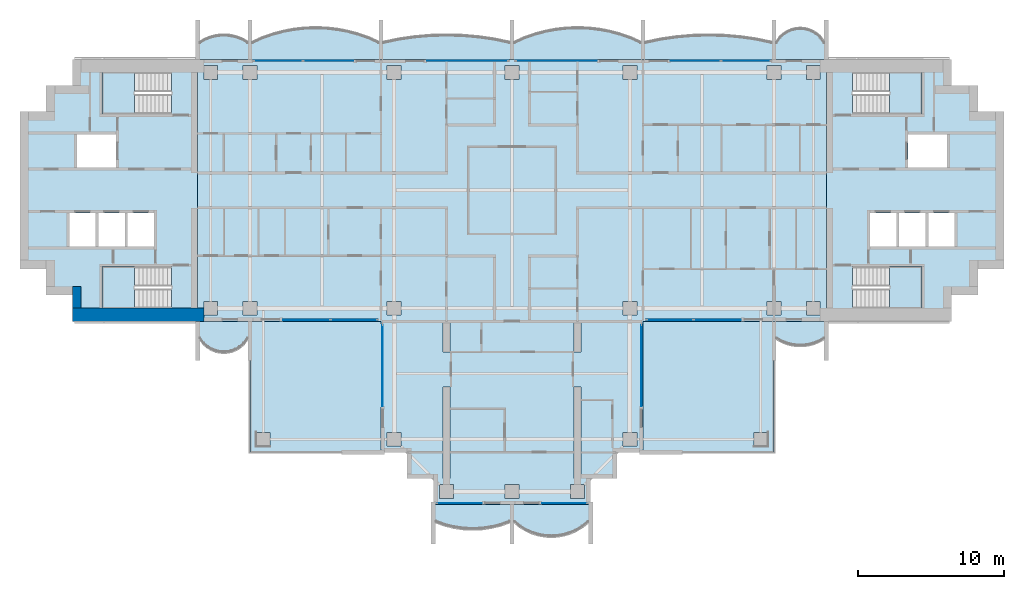
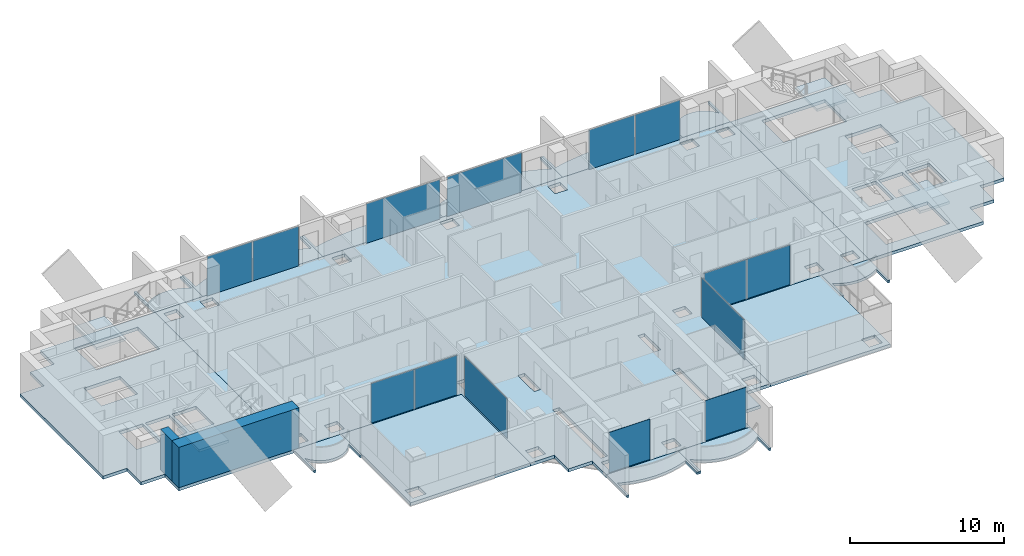
# One storey, part 7 of 18: 19 slabs, 14 plates, 2 walls, 14 elements without a shape of their own.
"""IFC4 building model written with IfcOpenShell, lengths in metres."""

from ifc_helpers import new_model, si_unit, direction, frame, frame_2d, origin, origin_2d, place, context, subcontext, project, spatial, polyline, rectangle, outline, extrude, material, layer, layer_set, type_object, element, aggregate, save


model = new_model("IFC4")

# Units and contexts
model_context = context("Model", 3, precision=1e-05, world=origin(), true_north=direction((0.0, 1.0)))
body_context = subcontext(model_context, "Body", "Model", "MODEL_VIEW")
ifc_project = project(units=[si_unit("LENGTHUNIT", "METRE"), si_unit("AREAUNIT", "SQUARE_METRE"), si_unit("VOLUMEUNIT", "CUBIC_METRE"), si_unit("PLANEANGLEUNIT", "RADIAN"), si_unit("MASSUNIT", "GRAM", prefix="KILO")], contexts=[model_context])

# Site, building, storey
site_placement = place(None, origin())
site = spatial("IfcSite", under=ifc_project, at=site_placement, CompositionType="ELEMENT")
building_placement = place(site_placement, origin())
building = spatial("IfcBuilding", under=site, at=building_placement, Name="Perihelion Cross Residences", CompositionType="ELEMENT")
storey_placement = place(building_placement, frame((0.0, 0.0, 219.10009765625)))
storey = spatial("IfcBuildingStorey", under=building, at=storey_placement, Name="L55", CompositionType="ELEMENT", Elevation=219.10009765625)

# Slabs
ifc_material_1 = material(Name="Concrete C40/50", Category="concrete")
ifc_layer_1 = layer(ifc_material_1, 0.199951171875)
ifc_layer_set_1 = layer_set([ifc_layer_1], Name="Balcony slab 200")
slab_type_1 = type_object("IfcSlabType", Name="Balcony slab 200", PredefinedType="FLOOR", material=ifc_layer_set_1)
slab_1_placement = place(storey_placement, frame((0.0, 0.0, -0.2001953125)))
element("IfcSlab", 1, at=slab_1_placement, inside=storey, type_object=slab_type_1, Name="Slab BK1 L55 east side north bay 1 balcony", PredefinedType="FLOOR", context=body_context, shape_type="SweptSolid", body=[
    extrude(outline(polyline([(21.60009765625, 9.0), (18.0, 9.0), (18.0, 11.699951171875), (18.14990234375, 11.699951171875), (18.14990234375, 10.199951171875), (18.425048828125, 10.568603515625), (18.699951171875, 10.806396484375), (18.97509765625, 10.96875), (19.25, 11.07568359375), (19.52490234375, 11.136962890625), (19.800048828125, 11.156982421875), (20.074951171875, 11.136962890625), (20.35009765625, 11.07568359375), (20.625, 10.96875), (20.89990234375, 10.806396484375), (21.175048828125, 10.568603515625), (21.449951171875, 10.199951171875), (21.449951171875, 11.699951171875), (21.60009765625, 11.699951171875), (21.60009765625, 9.0)])), origin(), (0.0, 0.0, 1.0), 0.2001953125),
])
slab_2_placement = place(storey_placement, frame((0.0, 0.0, -0.2001953125)))
element("IfcSlab", 2, at=slab_2_placement, inside=storey, type_object=slab_type_1, Name="Slab BK1 L55 east side north bay 2 balcony", PredefinedType="FLOOR", context=body_context, shape_type="SweptSolid", body=[
    extrude(outline(polyline([(18.0, 9.0), (9.0, 9.0), (9.0, 11.699951171875), (9.14990234375, 11.699951171875), (9.14990234375, 10.199951171875), (10.237548828125, 10.42041015625), (11.324951171875, 10.576171875), (12.41259765625, 10.669189453125), (13.5, 10.699951171875), (14.58740234375, 10.669189453125), (15.675048828125, 10.576171875), (16.762451171875, 10.42041015625), (17.85009765625, 10.199951171875), (17.85009765625, 11.699951171875), (18.0, 11.699951171875), (18.0, 9.0)])), origin(), (0.0, 0.0, 1.0), 0.2001953125),
])
slab_3_placement = place(storey_placement, frame((0.0, 0.0, -0.2001953125)))
element("IfcSlab", 3, at=slab_3_placement, inside=storey, type_object=slab_type_1, Name="Slab BK1 L55 north side east bay 1 balcony", PredefinedType="FLOOR", context=body_context, shape_type="SweptSolid", body=[
    extrude(outline(polyline([(9.0, 9.0), (0.0, 9.0), (0.0, 11.699951171875), (0.14990234375, 11.699951171875), (0.14990234375, 10.199951171875), (0.875, 10.51708984375), (1.60009765625, 10.7685546875), (2.324951171875, 10.959716796875), (3.050048828125, 11.093994140625), (3.77490234375, 11.173583984375), (4.5, 11.199951171875), (5.22509765625, 11.173583984375), (5.949951171875, 11.093994140625), (6.675048828125, 10.959716796875), (7.39990234375, 10.7685546875), (8.125, 10.51708984375), (8.85009765625, 10.199951171875), (8.85009765625, 11.699951171875), (9.0, 11.699951171875), (9.0, 9.0)])), origin(), (0.0, 0.0, 1.0), 0.2001953125),
])
slab_4_placement = place(storey_placement, frame((0.0, 0.0, -0.2001953125)))
element("IfcSlab", 4, at=slab_4_placement, inside=storey, type_object=slab_type_1, Name="Slab BK1 L55 north side east bay 2 balcony", PredefinedType="FLOOR", context=body_context, shape_type="SweptSolid", body=[
    extrude(outline(polyline([(0.0, 9.0), (-9.0, 9.0), (-9.0, 11.699951171875), (-8.85009765625, 11.699951171875), (-8.85009765625, 10.199951171875), (-7.762451171875, 10.42041015625), (-6.675048828125, 10.576171875), (-5.58740234375, 10.669189453125), (-4.5, 10.699951171875), (-3.41259765625, 10.669189453125), (-2.324951171875, 10.576171875), (-1.237548828125, 10.42041015625), (-0.14990234375, 10.199951171875), (-0.14990234375, 11.699951171875), (0.0, 11.699951171875), (0.0, 9.0)])), origin(), (0.0, 0.0, 1.0), 0.2001953125),
])
slab_5_placement = place(storey_placement, frame((0.0, 0.0, -0.2001953125)))
element("IfcSlab", 5, at=slab_5_placement, inside=storey, type_object=slab_type_1, Name="Slab BK1 L55 west side north bay 1 balcony", PredefinedType="FLOOR", context=body_context, shape_type="SweptSolid", body=[
    extrude(outline(polyline([(-9.0, 9.0), (-18.0, 9.0), (-18.0, 11.699951171875), (-17.85009765625, 11.699951171875), (-17.85009765625, 10.199951171875), (-17.125, 10.51708984375), (-16.39990234375, 10.7685546875), (-15.675048828125, 10.959716796875), (-14.949951171875, 11.093994140625), (-14.22509765625, 11.173583984375), (-13.5, 11.199951171875), (-12.77490234375, 11.173583984375), (-12.050048828125, 11.093994140625), (-11.324951171875, 10.959716796875), (-10.60009765625, 10.7685546875), (-9.875, 10.51708984375), (-9.14990234375, 10.199951171875), (-9.14990234375, 11.699951171875), (-9.0, 11.699951171875), (-9.0, 9.0)])), origin(), (0.0, 0.0, 1.0), 0.2001953125),
])
slab_6_placement = place(storey_placement, frame((0.0, 0.0, -0.2001953125)))
element("IfcSlab", 6, at=slab_6_placement, inside=storey, type_object=slab_type_1, Name="Slab BK1 L55 west side north bay 2 balcony", PredefinedType="FLOOR", context=body_context, shape_type="SweptSolid", body=[
    extrude(outline(polyline([(-18.0, 9.0), (-21.60009765625, 9.0), (-21.60009765625, 11.699951171875), (-21.449951171875, 11.699951171875), (-21.449951171875, 10.199951171875), (-21.083251953125, 10.40869140625), (-20.716552734375, 10.55517578125), (-20.35009765625, 10.648681640625), (-19.9833984375, 10.6943359375), (-19.61669921875, 10.6943359375), (-19.25, 10.648681640625), (-18.88330078125, 10.55517578125), (-18.5166015625, 10.40869140625), (-18.14990234375, 10.199951171875), (-18.14990234375, 11.699951171875), (-18.0, 11.699951171875), (-18.0, 9.0)])), origin(), (0.0, 0.0, 1.0), 0.2001953125),
])
slab_7_placement = place(storey_placement, frame((0.0, 0.0, -0.2001953125)))
element("IfcSlab", 7, at=slab_7_placement, inside=storey, type_object=slab_type_1, Name="Slab BK1 L55 west side south bay 1 balcony", PredefinedType="FLOOR", context=body_context, shape_type="SweptSolid", body=[
    extrude(outline(polyline([(-21.60009765625, -9.0), (-18.0, -9.0), (-18.0, -11.699951171875), (-18.14990234375, -11.699951171875), (-18.14990234375, -10.199951171875), (-18.425048828125, -10.568603515625), (-18.699951171875, -10.806396484375), (-18.97509765625, -10.96875), (-19.25, -11.07568359375), (-19.52490234375, -11.136962890625), (-19.800048828125, -11.156982421875), (-20.074951171875, -11.136962890625), (-20.35009765625, -11.07568359375), (-20.625, -10.96875), (-20.89990234375, -10.806396484375), (-21.175048828125, -10.568603515625), (-21.449951171875, -10.199951171875), (-21.449951171875, -11.699951171875), (-21.60009765625, -11.699951171875), (-21.60009765625, -9.0)])), origin(), (0.0, 0.0, 1.0), 0.2001953125),
])
slab_8_placement = place(storey_placement, frame((0.0, 0.0, -0.2001953125)))
element("IfcSlab", 8, at=slab_8_placement, inside=storey, type_object=slab_type_1, Name="Slab BK1 L55 south tip south bay 1 balcony", PredefinedType="FLOOR", context=body_context, shape_type="SweptSolid", body=[
    extrude(outline(polyline([(-5.39990234375, -21.60009765625), (0.0, -21.60009765625), (0.0, -24.300048828125), (-0.14990234375, -24.300048828125), (-0.14990234375, -22.800048828125), (-0.78759765625, -23.0234375), (-1.425048828125, -23.178466796875), (-2.0625, -23.269775390625), (-2.699951171875, -23.300048828125), (-3.33740234375, -23.269775390625), (-3.97509765625, -23.178466796875), (-4.612548828125, -23.0234375), (-5.25, -22.800048828125), (-5.25, -24.300048828125), (-5.39990234375, -24.300048828125), (-5.39990234375, -21.60009765625)])), origin(), (0.0, 0.0, 1.0), 0.2001953125),
])
slab_9_placement = place(storey_placement, frame((0.0, 0.0, -0.2001953125)))
element("IfcSlab", 9, at=slab_9_placement, inside=storey, type_object=slab_type_1, Name="Slab BK1 L55 south tip south bay 2 balcony", PredefinedType="FLOOR", context=body_context, shape_type="SweptSolid", body=[
    extrude(outline(polyline([(0.0, -21.60009765625), (5.39990234375, -21.60009765625), (5.39990234375, -24.300048828125), (5.25, -24.300048828125), (5.25, -22.800048828125), (4.824951171875, -23.14013671875), (4.39990234375, -23.392578125), (3.97509765625, -23.57666015625), (3.550048828125, -23.702392578125), (3.125, -23.77587890625), (2.699951171875, -23.800048828125), (2.27490234375, -23.77587890625), (1.85009765625, -23.702392578125), (1.425048828125, -23.57666015625), (1.0, -23.392578125), (0.574951171875, -23.14013671875), (0.14990234375, -22.800048828125), (0.14990234375, -24.300048828125), (0.0, -24.300048828125), (0.0, -21.60009765625)])), origin(), (0.0, 0.0, 1.0), 0.2001953125),
])
slab_10_placement = place(storey_placement, frame((0.0, 0.0, -0.2001953125)))
element("IfcSlab", 10, at=slab_10_placement, inside=storey, type_object=slab_type_1, Name="Slab BK1 L55 east side south bay 2 balcony", PredefinedType="FLOOR", context=body_context, shape_type="SweptSolid", body=[
    extrude(outline(polyline([(18.0, -9.0), (21.60009765625, -9.0), (21.60009765625, -11.699951171875), (21.449951171875, -11.699951171875), (21.449951171875, -10.199951171875), (21.083251953125, -10.40869140625), (20.716552734375, -10.55517578125), (20.35009765625, -10.648681640625), (19.9833984375, -10.6943359375), (19.61669921875, -10.6943359375), (19.25, -10.648681640625), (18.88330078125, -10.55517578125), (18.5166015625, -10.40869140625), (18.14990234375, -10.199951171875), (18.14990234375, -11.699951171875), (18.0, -11.699951171875), (18.0, -9.0)])), origin(), (0.0, 0.0, 1.0), 0.2001953125),
])

# Curtain wall, plates
ifc_material_2 = material(Name="Bronze anodised aluminium, tinted glazing", Category="aluminium")
curtain_wall_type = type_object("IfcCurtainWallType", Name="CW1", PredefinedType="NOTDEFINED", material=ifc_material_2)
curtain_wall_1_placement = place(storey_placement, origin())
curtain_wall_1 = element("IfcCurtainWall", 11, at=curtain_wall_1_placement, inside=storey, type_object=curtain_wall_type, Name="Curtain wall CW1 L55 east side north bay 2", PredefinedType="NOTDEFINED")
ifc_material_3 = material(Name="Tinted laminated glass", Category="glass")
ifc_layer_2 = layer(ifc_material_3, 0.028076171875)
ifc_layer_set_2 = layer_set([ifc_layer_2], Name="CW1 panel")
plate_type = type_object("IfcPlateType", Name="CW1 panel", PredefinedType="CURTAIN_PANEL", material=ifc_layer_set_2)
plate_1_placement = place(storey_placement, frame((16.06005859375, 8.89990234375, 0.0), z_axis=(0.0, 0.0, 1.0), x_axis=(-1.0, 0.0, 0.0)))
plate_1 = element("IfcPlate", 12, at=plate_1_placement, type_object=plate_type, Name="CW1 panel 1", PredefinedType="CURTAIN_PANEL", context=body_context, shape_type="SweptSolid", body=[
    extrude(rectangle(XDim=3.360107421875, YDim=0.028076171875, at=origin_2d()), origin(), (0.0, 0.0, 1.0), 3.139892578125),
])
plate_2_placement = place(storey_placement, frame((12.610107421875, 8.89990234375, 0.0), z_axis=(0.0, 0.0, 1.0), x_axis=(-1.0, 0.0, 0.0)))
plate_2 = element("IfcPlate", 13, at=plate_2_placement, type_object=plate_type, Name="CW1 panel 2", PredefinedType="CURTAIN_PANEL", context=body_context, shape_type="SweptSolid", body=[
    extrude(rectangle(XDim=3.419921875, YDim=0.028076171875, at=origin_2d()), origin(), (0.0, 0.0, 1.0), 3.139892578125),
])
aggregate(curtain_wall_1, [plate_1, plate_2])

# Curtain wall, plate
curtain_wall_2_placement = place(storey_placement, origin())
curtain_wall_2 = element("IfcCurtainWall", 14, at=curtain_wall_2_placement, inside=storey, type_object=curtain_wall_type, Name="Curtain wall CW1 L55 north side east bay 1", PredefinedType="NOTDEFINED")
plate_3_placement = place(storey_placement, frame((3.04248046875, 8.89990234375, 0.0), z_axis=(0.0, 0.0, 1.0), x_axis=(-1.0, 0.0, 0.0)))
plate_3 = element("IfcPlate", 15, at=plate_3_placement, type_object=plate_type, Name="CW1 panel 1", PredefinedType="CURTAIN_PANEL", context=body_context, shape_type="SweptSolid", body=[
    extrude(rectangle(XDim=5.56494140625, YDim=0.028076171875, at=origin_2d()), origin(), (0.0, 0.0, 1.0), 3.139892578125),
])
aggregate(curtain_wall_2, [plate_3])

curtain_wall_3_placement = place(storey_placement, origin())
curtain_wall_3 = element("IfcCurtainWall", 16, at=curtain_wall_3_placement, inside=storey, type_object=curtain_wall_type, Name="Curtain wall CW1 L55 north side east bay 2", PredefinedType="NOTDEFINED")
plate_4_placement = place(storey_placement, frame((-3.04248046875, 8.89990234375, 0.0), z_axis=(0.0, 0.0, 1.0), x_axis=(-1.0, 0.0, 0.0)))
plate_4 = element("IfcPlate", 17, at=plate_4_placement, type_object=plate_type, Name="CW1 panel 1", PredefinedType="CURTAIN_PANEL", context=body_context, shape_type="SweptSolid", body=[
    extrude(rectangle(XDim=5.56494140625, YDim=0.028076171875, at=origin_2d()), origin(), (0.0, 0.0, 1.0), 3.139892578125),
])
aggregate(curtain_wall_3, [plate_4])

# Curtain wall, plates
curtain_wall_4_placement = place(storey_placement, origin())
curtain_wall_4 = element("IfcCurtainWall", 18, at=curtain_wall_4_placement, inside=storey, type_object=curtain_wall_type, Name="Curtain wall CW1 L55 west side north bay 1", PredefinedType="NOTDEFINED")
plate_5_placement = place(storey_placement, frame((-12.610107421875, 8.89990234375, 0.0), z_axis=(0.0, 0.0, 1.0), x_axis=(-1.0, 0.0, 0.0)))
plate_5 = element("IfcPlate", 19, at=plate_5_placement, type_object=plate_type, Name="CW1 panel 1", PredefinedType="CURTAIN_PANEL", context=body_context, shape_type="SweptSolid", body=[
    extrude(rectangle(XDim=3.419921875, YDim=0.028076171875, at=origin_2d()), origin(), (0.0, 0.0, 1.0), 3.139892578125),
])
plate_6_placement = place(storey_placement, frame((-16.06005859375, 8.89990234375, 0.0), z_axis=(0.0, 0.0, 1.0), x_axis=(-1.0, 0.0, 0.0)))
plate_6 = element("IfcPlate", 20, at=plate_6_placement, type_object=plate_type, Name="CW1 panel 2", PredefinedType="CURTAIN_PANEL", context=body_context, shape_type="SweptSolid", body=[
    extrude(rectangle(XDim=3.360107421875, YDim=0.028076171875, at=origin_2d()), origin(), (0.0, 0.0, 1.0), 3.139892578125),
])
aggregate(curtain_wall_4, [plate_5, plate_6])

curtain_wall_5_placement = place(storey_placement, origin())
curtain_wall_5 = element("IfcCurtainWall", 21, at=curtain_wall_5_placement, inside=storey, type_object=curtain_wall_type, Name="Curtain wall CW1 L55 west side south bay 2", PredefinedType="NOTDEFINED")
plate_7_placement = place(storey_placement, frame((-14.108642578125, -8.89990234375, 0.0), z_axis=(0.0, 0.0, 1.0), x_axis=(1.0, 0.0, 0.0)))
plate_7 = element("IfcPlate", 22, at=plate_7_placement, type_object=plate_type, Name="CW1 panel 1", PredefinedType="CURTAIN_PANEL", context=body_context, shape_type="SweptSolid", body=[
    extrude(rectangle(XDim=3.232421875, YDim=0.028076171875, at=origin_2d()), origin(), (0.0, 0.0, 1.0), 3.139892578125),
])
plate_8_placement = place(storey_placement, frame((-10.84619140625, -8.89990234375, 0.0), z_axis=(0.0, 0.0, 1.0), x_axis=(1.0, 0.0, 0.0)))
plate_8 = element("IfcPlate", 23, at=plate_8_placement, type_object=plate_type, Name="CW1 panel 2", PredefinedType="CURTAIN_PANEL", context=body_context, shape_type="SweptSolid", body=[
    extrude(rectangle(XDim=3.172607421875, YDim=0.028076171875, at=origin_2d()), origin(), (0.0, 0.0, 1.0), 3.139892578125),
])
aggregate(curtain_wall_5, [plate_7, plate_8])

# Curtain wall, plate
curtain_wall_6_placement = place(storey_placement, origin())
curtain_wall_6 = element("IfcCurtainWall", 24, at=curtain_wall_6_placement, inside=storey, type_object=curtain_wall_type, Name="Curtain wall CW1 L55 south side west bay 1", PredefinedType="NOTDEFINED")
plate_9_placement = place(storey_placement, frame((-8.89990234375, -12.04248046875, 0.0), z_axis=(0.0, 0.0, 1.0), x_axis=(0.0, -1.0, 0.0)))
plate_9 = element("IfcPlate", 25, at=plate_9_placement, type_object=plate_type, Name="CW1 panel 1", PredefinedType="CURTAIN_PANEL", context=body_context, shape_type="SweptSolid", body=[
    extrude(rectangle(XDim=5.56494140625, YDim=0.028076171875, at=origin_2d()), origin(), (0.0, 0.0, 1.0), 3.139892578125),
])
aggregate(curtain_wall_6, [plate_9])

curtain_wall_7_placement = place(storey_placement, origin())
curtain_wall_7 = element("IfcCurtainWall", 26, at=curtain_wall_7_placement, inside=storey, type_object=curtain_wall_type, Name="Curtain wall CW1 L55 south tip south bay 1", PredefinedType="NOTDEFINED")
plate_10_placement = place(storey_placement, frame((-3.607421875, -21.5, 0.0), z_axis=(0.0, 0.0, 1.0), x_axis=(1.0, 0.0, 0.0)))
plate_10 = element("IfcPlate", 27, at=plate_10_placement, type_object=plate_type, Name="CW1 panel 1", PredefinedType="CURTAIN_PANEL", context=body_context, shape_type="SweptSolid", body=[
    extrude(rectangle(XDim=3.06494140625, YDim=0.028076171875, at=origin_2d()), origin(), (0.0, 0.0, 1.0), 3.199951171875),
])
aggregate(curtain_wall_7, [plate_10])

curtain_wall_8_placement = place(storey_placement, origin())
curtain_wall_8 = element("IfcCurtainWall", 28, at=curtain_wall_8_placement, inside=storey, type_object=curtain_wall_type, Name="Curtain wall CW1 L55 south tip south bay 2", PredefinedType="NOTDEFINED")
plate_11_placement = place(storey_placement, frame((3.607421875, -21.5, 0.0), z_axis=(0.0, 0.0, 1.0), x_axis=(1.0, 0.0, 0.0)))
plate_11 = element("IfcPlate", 29, at=plate_11_placement, type_object=plate_type, Name="CW1 panel 1", PredefinedType="CURTAIN_PANEL", context=body_context, shape_type="SweptSolid", body=[
    extrude(rectangle(XDim=3.06494140625, YDim=0.028076171875, at=origin_2d()), origin(), (0.0, 0.0, 1.0), 3.199951171875),
])
aggregate(curtain_wall_8, [plate_11])

curtain_wall_9_placement = place(storey_placement, origin())
curtain_wall_9 = element("IfcCurtainWall", 30, at=curtain_wall_9_placement, inside=storey, type_object=curtain_wall_type, Name="Curtain wall CW1 L55 south side east bay 1", PredefinedType="NOTDEFINED")
plate_12_placement = place(storey_placement, frame((8.89990234375, -12.04248046875, 0.0), z_axis=(0.0, 0.0, 1.0), x_axis=(0.0, 1.0, 0.0)))
plate_12 = element("IfcPlate", 31, at=plate_12_placement, type_object=plate_type, Name="CW1 panel 1", PredefinedType="CURTAIN_PANEL", context=body_context, shape_type="SweptSolid", body=[
    extrude(rectangle(XDim=5.56494140625, YDim=0.028076171875, at=origin_2d()), origin(), (0.0, 0.0, 1.0), 3.139892578125),
])
aggregate(curtain_wall_9, [plate_12])

# Curtain wall, plates
curtain_wall_10_placement = place(storey_placement, origin())
curtain_wall_10 = element("IfcCurtainWall", 32, at=curtain_wall_10_placement, inside=storey, type_object=curtain_wall_type, Name="Curtain wall CW1 L55 east side south bay 1", PredefinedType="NOTDEFINED")
plate_13_placement = place(storey_placement, frame((10.84619140625, -8.89990234375, 0.0), z_axis=(0.0, 0.0, 1.0), x_axis=(1.0, 0.0, 0.0)))
plate_13 = element("IfcPlate", 33, at=plate_13_placement, type_object=plate_type, Name="CW1 panel 1", PredefinedType="CURTAIN_PANEL", context=body_context, shape_type="SweptSolid", body=[
    extrude(rectangle(XDim=3.172607421875, YDim=0.028076171875, at=origin_2d()), origin(), (0.0, 0.0, 1.0), 3.139892578125),
])
plate_14_placement = place(storey_placement, frame((14.108642578125, -8.89990234375, 0.0), z_axis=(0.0, 0.0, 1.0), x_axis=(1.0, 0.0, 0.0)))
plate_14 = element("IfcPlate", 34, at=plate_14_placement, type_object=plate_type, Name="CW1 panel 2", PredefinedType="CURTAIN_PANEL", context=body_context, shape_type="SweptSolid", body=[
    extrude(rectangle(XDim=3.232421875, YDim=0.028076171875, at=origin_2d()), origin(), (0.0, 0.0, 1.0), 3.139892578125),
])
aggregate(curtain_wall_10, [plate_13, plate_14])

# Slabs
ifc_material_4 = material(Name="Concrete C40/50", Category="concrete")
ifc_layer_3 = layer(ifc_material_4, 0.25)
ifc_layer_set_3 = layer_set([ifc_layer_3], Name="Core floor slab 250")
slab_type_2 = type_object("IfcSlabType", Name="Core floor slab 250", PredefinedType="FLOOR", material=ifc_layer_set_3)
slab_11_placement = place(storey_placement, frame((0.0, 0.0, -0.25)))
element("IfcSlab", 35, at=slab_11_placement, inside=storey, type_object=slab_type_2, Name="East core floor slab", PredefinedType="FLOOR", context=body_context, shape_type="SweptSolid", body=[
    extrude(outline(polyline([(30.199951171875, 7.199951171875), (32.0, 7.199951171875), (32.0, 5.39990234375), (33.800048828125, 5.39990234375), (33.800048828125, -5.39990234375), (32.0, -5.39990234375), (32.0, -7.199951171875), (30.199951171875, -7.199951171875), (30.199951171875, -9.0), (21.60009765625, -9.0), (21.60009765625, 9.0), (30.199951171875, 9.0), (30.199951171875, 7.199951171875)]), holes=[polyline([(28.14990234375, -8.10009765625), (28.14990234375, -5.25), (23.405029296875, -5.25), (23.405029296875, -8.10009765625), (28.14990234375, -8.10009765625)]), polyline([(24.60009765625, -1.550048828125), (24.60009765625, -3.85009765625), (26.39990234375, -3.85009765625), (26.39990234375, -1.550048828125), (24.60009765625, -1.550048828125)]), polyline([(26.60009765625, -1.550048828125), (26.60009765625, -3.85009765625), (28.39990234375, -3.85009765625), (28.39990234375, -1.550048828125), (26.60009765625, -1.550048828125)]), polyline([(28.60009765625, -3.85009765625), (30.39990234375, -3.85009765625), (30.39990234375, -1.550048828125), (28.60009765625, -1.550048828125), (28.60009765625, -3.85009765625)]), polyline([(27.199951171875, 3.85009765625), (27.199951171875, 1.550048828125), (29.89990234375, 1.550048828125), (29.89990234375, 3.85009765625), (27.199951171875, 3.85009765625)]), polyline([(23.405029296875, 5.25), (28.14990234375, 5.25), (28.14990234375, 8.10009765625), (23.405029296875, 8.10009765625), (23.405029296875, 5.25)])]), origin(), (0.0, 0.0, 1.0), 0.25),
])
slab_12_placement = place(storey_placement, frame((0.0, 0.0, -0.25)))
element("IfcSlab", 36, at=slab_12_placement, inside=storey, type_object=slab_type_2, Name="West core floor slab", PredefinedType="FLOOR", context=body_context, shape_type="SweptSolid", body=[
    extrude(outline(polyline([(-30.199951171875, 7.199951171875), (-32.0, 7.199951171875), (-32.0, 5.39990234375), (-33.800048828125, 5.39990234375), (-33.800048828125, -5.39990234375), (-32.0, -5.39990234375), (-32.0, -7.199951171875), (-30.199951171875, -7.199951171875), (-30.199951171875, -9.0), (-21.60009765625, -9.0), (-21.60009765625, 9.0), (-30.199951171875, 9.0), (-30.199951171875, 7.199951171875)]), holes=[polyline([(-28.14990234375, -8.10009765625), (-28.14990234375, -5.25), (-23.405029296875, -5.25), (-23.405029296875, -8.10009765625), (-28.14990234375, -8.10009765625)]), polyline([(-24.60009765625, -1.550048828125), (-24.60009765625, -3.85009765625), (-26.39990234375, -3.85009765625), (-26.39990234375, -1.550048828125), (-24.60009765625, -1.550048828125)]), polyline([(-26.60009765625, -1.550048828125), (-26.60009765625, -3.85009765625), (-28.39990234375, -3.85009765625), (-28.39990234375, -1.550048828125), (-26.60009765625, -1.550048828125)]), polyline([(-28.60009765625, -3.85009765625), (-30.39990234375, -3.85009765625), (-30.39990234375, -1.550048828125), (-28.60009765625, -1.550048828125), (-28.60009765625, -3.85009765625)]), polyline([(-27.199951171875, 3.85009765625), (-27.199951171875, 1.550048828125), (-29.89990234375, 1.550048828125), (-29.89990234375, 3.85009765625), (-27.199951171875, 3.85009765625)]), polyline([(-23.405029296875, 5.25), (-28.14990234375, 5.25), (-28.14990234375, 8.10009765625), (-23.405029296875, 8.10009765625), (-23.405029296875, 5.25)])]), origin(), (0.0, 0.0, 1.0), 0.25),
])
ifc_material_5 = material(Name="Concrete C40/50", Category="concrete")
ifc_layer_4 = layer(ifc_material_5, 0.25)
ifc_layer_set_4 = layer_set([ifc_layer_4], Name="Corner terrace slab")
slab_type_3 = type_object("IfcSlabType", Name="Corner terrace slab", PredefinedType="FLOOR", material=ifc_layer_set_4)
slab_13_placement = place(storey_placement, frame((0.0, 0.0, -0.25)))
element("IfcSlab", 37, at=slab_13_placement, inside=storey, type_object=slab_type_3, Name="Slab BK2 L55 pocket south-west", PredefinedType="FLOOR", context=body_context, shape_type="SweptSolid", body=[
    extrude(outline(polyline([(-9.0, -18.0), (-9.0, -9.0), (-18.0, -9.0), (-18.0, -18.0), (-9.0, -18.0)]), holes=[polyline([(-16.625, -17.614990234375), (-17.614990234375, -17.614990234375), (-17.614990234375, -16.5849609375), (-17.574951171875, -16.5849609375), (-17.574951171875, -16.625), (-16.625, -16.625), (-16.625, -17.614990234375)])]), origin(), (0.0, 0.0, 1.0), 0.25),
])
slab_14_placement = place(storey_placement, frame((0.0, 0.0, -0.25)))
element("IfcSlab", 38, at=slab_14_placement, inside=storey, type_object=slab_type_3, Name="Slab BK2 L55 pocket south-east", PredefinedType="FLOOR", context=body_context, shape_type="SweptSolid", body=[
    extrude(outline(polyline([(18.0, -18.0), (18.0, -9.0), (9.0, -9.0), (9.0, -18.0), (18.0, -18.0)]), holes=[polyline([(16.625, -17.614990234375), (16.625, -16.625), (17.574951171875, -16.625), (17.574951171875, -16.5849609375), (17.614990234375, -16.5849609375), (17.614990234375, -17.614990234375), (16.625, -17.614990234375)])]), origin(), (0.0, 0.0, 1.0), 0.25),
])

# Stair, slab
ifc_material_6 = material(Name="Concrete C40/50", Category="concrete")
stair_type = type_object("IfcStairType", Name="Exit stair, half-turn", PredefinedType="HALF_TURN_STAIR", material=ifc_material_6)
stair_1_placement = place(storey_placement, origin())
stair_1 = element("IfcStair", 39, at=stair_1_placement, inside=storey, type_object=stair_type, Name="L55 East core exit stair 1", PredefinedType="HALF_TURN_STAIR")
ifc_material_7 = material(Name="Concrete C40/50", Category="concrete")
ifc_layer_5 = layer(ifc_material_7, 0.199951171875)
ifc_layer_set_5 = layer_set([ifc_layer_5], Name="Exit stair landing 200")
slab_type_4 = type_object("IfcSlabType", Name="Exit stair landing 200", PredefinedType="LANDING", material=ifc_layer_set_5)
slab_15_placement = place(storey_placement, frame((0.0, 0.0, 1.5498046875)))
slab_15 = element("IfcSlab", 40, at=slab_15_placement, type_object=slab_type_4, Name="ST-E1 landing 1", PredefinedType="LANDING", context=body_context, shape_type="SweptSolid", body=[
    extrude(outline(polyline([(25.919921875, 5.25), (28.14990234375, 5.25), (28.14990234375, 8.10009765625), (25.919921875, 8.10009765625), (25.919921875, 5.25)])), origin(), (0.0, 0.0, 1.0), 0.2001953125),
])
aggregate(stair_1, [slab_15])

stair_2_placement = place(storey_placement, origin())
stair_2 = element("IfcStair", 41, at=stair_2_placement, inside=storey, type_object=stair_type, Name="L55 East core exit stair 2", PredefinedType="HALF_TURN_STAIR")
slab_16_placement = place(storey_placement, frame((0.0, 0.0, 1.5498046875)))
slab_16 = element("IfcSlab", 42, at=slab_16_placement, type_object=slab_type_4, Name="ST-E2 landing 1", PredefinedType="LANDING", context=body_context, shape_type="SweptSolid", body=[
    extrude(outline(polyline([(25.919921875, -8.10009765625), (28.14990234375, -8.10009765625), (28.14990234375, -5.25), (25.919921875, -5.25), (25.919921875, -8.10009765625)])), origin(), (0.0, 0.0, 1.0), 0.2001953125),
])
aggregate(stair_2, [slab_16])

stair_3_placement = place(storey_placement, origin())
stair_3 = element("IfcStair", 43, at=stair_3_placement, inside=storey, type_object=stair_type, Name="L55 West core exit stair 1", PredefinedType="HALF_TURN_STAIR")
slab_17_placement = place(storey_placement, frame((0.0, 0.0, 1.5498046875)))
slab_17 = element("IfcSlab", 44, at=slab_17_placement, type_object=slab_type_4, Name="ST-W1 landing 1", PredefinedType="LANDING", context=body_context, shape_type="SweptSolid", body=[
    extrude(outline(polyline([(-25.919921875, 8.10009765625), (-28.14990234375, 8.10009765625), (-28.14990234375, 5.25), (-25.919921875, 5.25), (-25.919921875, 8.10009765625)])), origin(), (0.0, 0.0, 1.0), 0.2001953125),
])
aggregate(stair_3, [slab_17])

stair_4_placement = place(storey_placement, origin())
stair_4 = element("IfcStair", 45, at=stair_4_placement, inside=storey, type_object=stair_type, Name="L55 West core exit stair 2", PredefinedType="HALF_TURN_STAIR")
slab_18_placement = place(storey_placement, frame((0.0, 0.0, 1.5498046875)))
slab_18 = element("IfcSlab", 46, at=slab_18_placement, type_object=slab_type_4, Name="ST-W2 landing 1", PredefinedType="LANDING", context=body_context, shape_type="SweptSolid", body=[
    extrude(outline(polyline([(-25.919921875, -5.25), (-28.14990234375, -5.25), (-28.14990234375, -8.10009765625), (-25.919921875, -8.10009765625), (-25.919921875, -5.25)])), origin(), (0.0, 0.0, 1.0), 0.2001953125),
])
aggregate(stair_4, [slab_18])

# Slab
ifc_material_8 = material(Name="Concrete C50/60", Category="concrete")
ifc_layer_6 = layer(ifc_material_8, 0.25)
ifc_layer_set_6 = layer_set([ifc_layer_6], Name="Residential floor post-tensioned slab concrete C50/60")
slab_type_5 = type_object("IfcSlabType", Name="Residential floor post-tensioned slab concrete C50/60", PredefinedType="FLOOR", material=ifc_layer_set_6)
slab_19_placement = place(storey_placement, frame((0.0, 0.0, -0.25)))
element("IfcSlab", 47, at=slab_19_placement, inside=storey, type_object=slab_type_5, Name="Slab SL8 L55 1 no. 1", PredefinedType="FLOOR", context=body_context, shape_type="SweptSolid", body=[
    extrude(outline(polyline([(-9.0, 9.0), (9.0, 9.0), (21.60009765625, 9.0), (21.60009765625, -9.0), (9.0, -9.0), (9.0, -18.0), (7.199951171875, -18.0), (7.199951171875, -19.800048828125), (5.39990234375, -19.800048828125), (5.39990234375, -21.60009765625), (-5.39990234375, -21.60009765625), (-5.39990234375, -19.800048828125), (-7.199951171875, -19.800048828125), (-7.199951171875, -18.0), (-9.0, -18.0), (-9.0, -9.0), (-21.60009765625, -9.0), (-21.60009765625, 9.0), (-9.0, 9.0)]), holes=[polyline([(-4.02490234375, -20.22509765625), (-4.97509765625, -20.22509765625), (-4.97509765625, -21.175048828125), (-4.02490234375, -21.175048828125), (-4.02490234375, -20.22509765625)]), polyline([(0.47509765625, -21.175048828125), (0.47509765625, -20.22509765625), (-0.47509765625, -20.22509765625), (-0.47509765625, -21.175048828125), (0.47509765625, -21.175048828125)]), polyline([(-7.625, -17.574951171875), (-7.625, -16.625), (-8.574951171875, -16.625), (-8.574951171875, -17.574951171875), (-7.625, -17.574951171875)]), polyline([(-4.25, -13.5), (-4.75, -13.5), (-4.75, -19.800048828125), (-4.25, -19.800048828125), (-4.25, -13.5)]), polyline([(-4.25, -11.10009765625), (-4.25, -9.0), (-4.75, -9.0), (-4.75, -11.10009765625), (-4.25, -11.10009765625)]), polyline([(-20.22509765625, -8.574951171875), (-20.22509765625, -7.625), (-21.175048828125, -7.625), (-21.175048828125, -8.574951171875), (-20.22509765625, -8.574951171875)]), polyline([(-17.52490234375, -7.625), (-18.47509765625, -7.625), (-18.47509765625, -8.574951171875), (-17.52490234375, -8.574951171875), (-17.52490234375, -7.625)]), polyline([(-7.625, -8.574951171875), (-7.625, -7.625), (-8.574951171875, -7.625), (-8.574951171875, -8.574951171875), (-7.625, -8.574951171875)]), polyline([(-20.22509765625, 8.574951171875), (-21.175048828125, 8.574951171875), (-21.175048828125, 7.625), (-20.22509765625, 7.625), (-20.22509765625, 8.574951171875)]), polyline([(-17.52490234375, 7.625), (-17.52490234375, 8.574951171875), (-18.47509765625, 8.574951171875), (-18.47509765625, 7.625), (-17.52490234375, 7.625)]), polyline([(-7.625, 7.625), (-7.625, 8.574951171875), (-8.574951171875, 8.574951171875), (-8.574951171875, 7.625), (-7.625, 7.625)]), polyline([(4.97509765625, -20.22509765625), (4.02490234375, -20.22509765625), (4.02490234375, -21.175048828125), (4.97509765625, -21.175048828125), (4.97509765625, -20.22509765625)]), polyline([(8.574951171875, -17.574951171875), (8.574951171875, -16.625), (7.625, -16.625), (7.625, -17.574951171875), (8.574951171875, -17.574951171875)]), polyline([(4.75, -19.800048828125), (4.75, -13.5), (4.25, -13.5), (4.25, -19.800048828125), (4.75, -19.800048828125)]), polyline([(4.75, -9.0), (4.25, -9.0), (4.25, -11.10009765625), (4.75, -11.10009765625), (4.75, -9.0)]), polyline([(8.574951171875, -8.574951171875), (8.574951171875, -7.625), (7.625, -7.625), (7.625, -8.574951171875), (8.574951171875, -8.574951171875)]), polyline([(18.47509765625, -8.574951171875), (18.47509765625, -7.625), (17.52490234375, -7.625), (17.52490234375, -8.574951171875), (18.47509765625, -8.574951171875)]), polyline([(21.175048828125, -7.625), (20.22509765625, -7.625), (20.22509765625, -8.574951171875), (21.175048828125, -8.574951171875), (21.175048828125, -7.625)]), polyline([(0.47509765625, 7.625), (0.47509765625, 8.574951171875), (-0.47509765625, 8.574951171875), (-0.47509765625, 7.625), (0.47509765625, 7.625)]), polyline([(8.574951171875, 8.574951171875), (7.625, 8.574951171875), (7.625, 7.625), (8.574951171875, 7.625), (8.574951171875, 8.574951171875)]), polyline([(18.47509765625, 7.625), (18.47509765625, 8.574951171875), (17.52490234375, 8.574951171875), (17.52490234375, 7.625), (18.47509765625, 7.625)]), polyline([(21.175048828125, 7.625), (21.175048828125, 8.574951171875), (20.22509765625, 8.574951171875), (20.22509765625, 7.625), (21.175048828125, 7.625)])]), origin(), (0.0, 0.0, 1.0), 0.25),
])

# Walls
ifc_material_9 = material(Name="Concrete C60/75", Category="concrete")
ifc_layer_7 = layer(ifc_material_9, 0.60009765625)
ifc_layer_set_7 = layer_set([ifc_layer_7], Name="Core wall, outer 600")
wall_type_1 = type_object("IfcWallType", Name="Core wall, outer 600", PredefinedType="SHEAR", material=ifc_layer_set_7)
wall_1_placement = place(storey_placement, frame((-29.89990234375, -8.10009765625, 0.0), z_axis=(0.0, 0.0, 1.0), x_axis=(0.0, 1.0, 0.0)))
element("IfcWall", 48, at=wall_1_placement, inside=storey, type_object=wall_type_1, Name="West core core wall, outer", PredefinedType="SHEAR", context=body_context, shape_type="SweptSolid", body=[
    extrude(rectangle(XDim=1.5, YDim=0.60009765625, at=frame_2d((0.75, 0.0))), origin(), (0.0, 0.0, 1.0), 3.199951171875),
])
ifc_material_10 = material(Name="Concrete C60/75", Category="concrete")
ifc_layer_8 = layer(ifc_material_10, 0.89990234375)
ifc_layer_set_8 = layer_set([ifc_layer_8], Name="Core wall, outer 900")
wall_type_2 = type_object("IfcWallType", Name="Core wall, outer 900", PredefinedType="SHEAR", material=ifc_layer_set_8)
wall_2_placement = place(storey_placement, frame((-30.199951171875, -8.550048828125, 0.0), z_axis=(0.0, 0.0, 1.0), x_axis=(1.0, 0.0, 0.0)))
element("IfcWall", 49, at=wall_2_placement, inside=storey, type_object=wall_type_2, Name="West core core wall, outer", PredefinedType="SHEAR", context=body_context, shape_type="SweptSolid", body=[
    extrude(rectangle(XDim=9.02490234375, YDim=0.89990234375, at=frame_2d((4.512451171875, 0.0))), origin(), (0.0, 0.0, 1.0), 3.199951171875),
])

save(model, "model.ifc")
